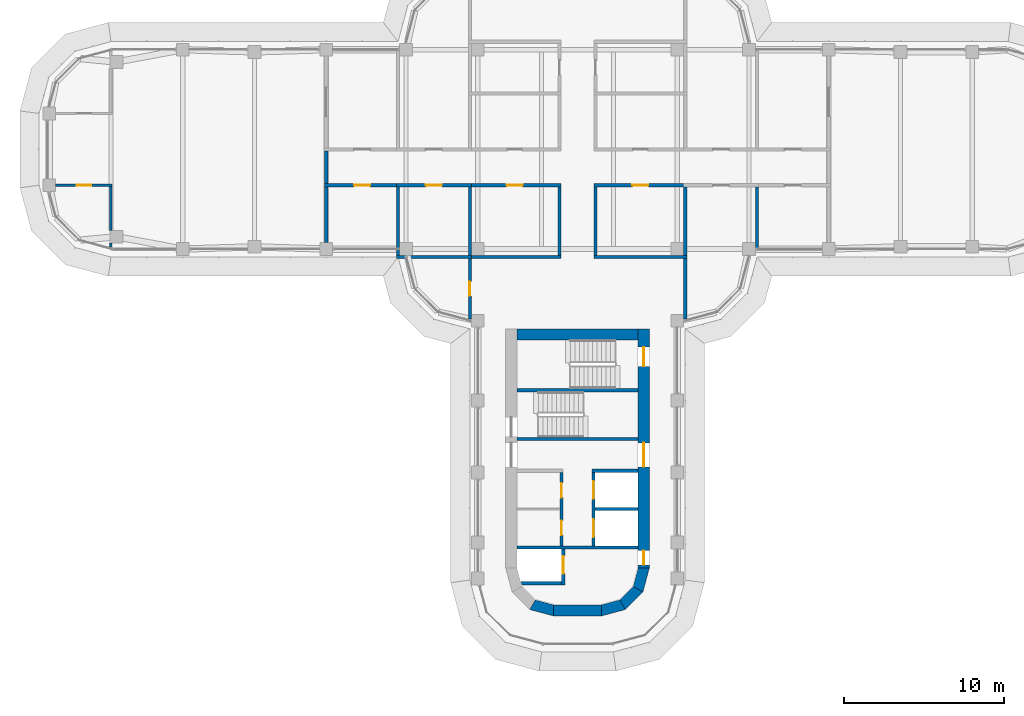
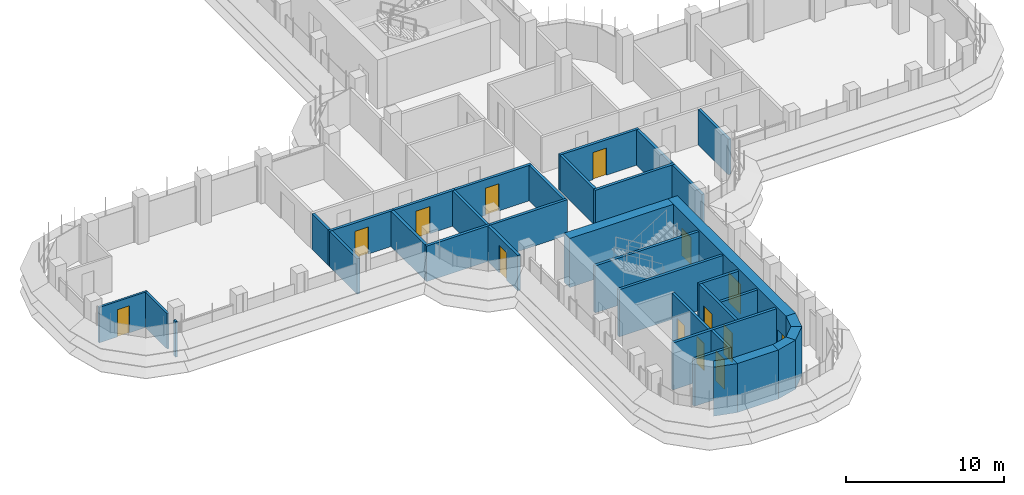
# One storey, part 13 of 20: 36 walls, 14 doors, 14 openings.
"""IFC4 building model written with IfcOpenShell, lengths in metres."""

from ifc_helpers import new_model, si_unit, direction, frame, frame_2d, origin, place, context, subcontext, project, spatial, polyline, rectangle, outline, extrude, material, layer, layer_set, type_object, element, fill, save


model = new_model("IFC4")

# Units and contexts
model_context = context("Model", 3, precision=1e-05, world=origin(), true_north=direction((0.0, 1.0)))
body_context = subcontext(model_context, "Body", "Model", "MODEL_VIEW")
ifc_project = project(units=[si_unit("LENGTHUNIT", "METRE"), si_unit("AREAUNIT", "SQUARE_METRE"), si_unit("VOLUMEUNIT", "CUBIC_METRE"), si_unit("PLANEANGLEUNIT", "RADIAN"), si_unit("MASSUNIT", "GRAM", prefix="KILO")], contexts=[model_context])

# Site, building, storey
site_placement = place(None, origin())
site = spatial("IfcSite", under=ifc_project, at=site_placement, CompositionType="ELEMENT")
building_placement = place(site_placement, origin())
building = spatial("IfcBuilding", under=site, at=building_placement, Name="Zarbagh Exchange Tower", CompositionType="ELEMENT")
storey_placement = place(building_placement, frame((0.0, 0.0, 163.800048828125)))
storey = spatial("IfcBuildingStorey", under=building, at=storey_placement, Name="L39", CompositionType="ELEMENT", Elevation=163.800048828125)

# Walls
ifc_material_1 = material(Name="Plasterboard partition")
ifc_layer_1 = layer(ifc_material_1, 0.14990234375)
ifc_layer_set_1 = layer_set([ifc_layer_1], Name="PARTITION 150")
wall_type_1 = type_object("IfcWallType", Name="PARTITION 150", PredefinedType="PARTITIONING", material=ifc_layer_set_1)
wall_1_placement = place(storey_placement, frame((-29.25, -6.1298828125, 0.0), z_axis=(0.0, 0.0, 1.0), x_axis=(0.0, 1.0, 0.0)))
element("IfcWall", 1, at=wall_1_placement, inside=storey, type_object=wall_type_1, Name="Partition W-1749", PredefinedType="PARTITIONING", context=body_context, shape_type="SweptSolid", body=[
    extrude(rectangle(XDim=0.2548828125, YDim=0.14990234375, at=frame_2d((0.12744140625, 0.0))), origin(), (0.0, 0.0, 1.0), 2.75),
])
wall_2_placement = place(storey_placement, frame((-29.25, -5.074951171875, 0.0), z_axis=(0.0, 0.0, 1.0), x_axis=(0.0, 1.0, 0.0)))
element("IfcWall", 2, at=wall_2_placement, inside=storey, type_object=wall_type_1, Name="Partition W-1750", PredefinedType="PARTITIONING", context=body_context, shape_type="SweptSolid", body=[
    extrude(rectangle(XDim=2.75, YDim=0.14990234375, at=frame_2d((1.375, 0.0))), origin(), (0.0, 0.0, 1.0), 2.75),
])

# Wall, opening, door
wall_3_placement = place(storey_placement, frame((-29.175048828125, -2.25, 0.0), z_axis=(0.0, 0.0, 1.0), x_axis=(-1.0, 0.0, 0.0)))
wall_3 = element("IfcWall", 3, at=wall_3_placement, inside=storey, type_object=wall_type_1, Name="Partition W-1751", PredefinedType="PARTITIONING", context=body_context, shape_type="SweptSolid", body=[
    extrude(rectangle(XDim=3.534912109375, YDim=0.14990234375, at=frame_2d((1.767578125, 0.0))), origin(), (0.0, 0.0, 1.0), 2.75),
])
opening_1_placement = place(wall_3_placement, frame((1.3173828125, 0.0, 0.0)))
opening_1 = element("IfcOpeningElement", 4, at=opening_1_placement, cuts=wall_3, Name="Opening D-1716", PredefinedType="OPENING", context=body_context, shape_type="SweptSolid", body=[
    extrude(rectangle(XDim=0.89990234375, YDim=2.10009765625, at=frame_2d((0.449951171875, 1.050048828125))), frame((0.0, 0.0849609375, 0.0), z_axis=(0.0, -1.0, 0.0), x_axis=(1.0, 0.0, 0.0)), (0.0, 0.0, 1.0), 0.169921875),
])
ifc_material_2 = material(Name="Timber door leaf", Category="wood")
door_type_1 = type_object("IfcDoorType", Name="DOOR 900 X 2100", OperationType="NOTDEFINED", PredefinedType="DOOR", material=ifc_material_2)
door_1_placement = place(opening_1_placement, origin())
door_1 = element("IfcDoor", 5, at=door_1_placement, inside=storey, type_object=door_type_1, Name="Door D-1716", OperationType="SINGLE_SWING_RIGHT", OverallHeight=2.10009765625, OverallWidth=0.89990234375, PredefinedType="DOOR", context=body_context, shape_type="SweptSolid", body=[
    extrude(rectangle(XDim=0.89990234375, YDim=2.10009765625, at=frame_2d((0.449951171875, 1.050048828125))), frame((0.0, 0.02490234375, 0.0), z_axis=(0.0, -1.0, 0.0), x_axis=(1.0, 0.0, 0.0)), (0.0, 0.0, 1.0), 0.050048828125),
])
fill(opening_1, door_1)

ifc_material_3 = material(Name="Fire-rated plasterboard partition")
ifc_layer_2 = layer(ifc_material_3, 0.199951171875)
ifc_layer_set_2 = layer_set([ifc_layer_2], Name="RATED PARTITION 200")
wall_type_2 = type_object("IfcWallType", Name="RATED PARTITION 200", PredefinedType="PARTITIONING", material=ifc_layer_set_2)
wall_4_placement = place(storey_placement, frame((6.85009765625, -2.25, 0.0), z_axis=(0.0, 0.0, 1.0), x_axis=(-1.0, 0.0, 0.0)))
wall_4 = element("IfcWall", 6, at=wall_4_placement, inside=storey, type_object=wall_type_2, Name="Partition W-1705", PredefinedType="PARTITIONING", context=body_context, shape_type="SweptSolid", body=[
    extrude(rectangle(XDim=5.8251953125, YDim=0.199951171875, at=frame_2d((2.91259765625, 0.0))), origin(), (0.0, 0.0, 1.0), 2.75),
])
opening_2_placement = place(wall_4_placement, frame((2.41259765625, 0.0, 0.0)))
opening_2 = element("IfcOpeningElement", 7, at=opening_2_placement, cuts=wall_4, Name="Opening D-1710", PredefinedType="OPENING", context=body_context, shape_type="SweptSolid", body=[
    extrude(rectangle(XDim=1.0, YDim=2.10009765625, at=frame_2d((0.5, 1.050048828125))), frame((0.0, 0.10986328125, 0.0), z_axis=(0.0, -1.0, 0.0), x_axis=(1.0, 0.0, 0.0)), (0.0, 0.0, 1.0), 0.219970703125),
])
ifc_material_4 = material(Name="Steel door set", Category="steel")
door_type_2 = type_object("IfcDoorType", Name="FIRE DOOR 1000 X 2100 FD30S", OperationType="NOTDEFINED", PredefinedType="DOOR", material=ifc_material_4)
door_2_placement = place(opening_2_placement, origin())
door_2 = element("IfcDoor", 8, at=door_2_placement, inside=storey, type_object=door_type_2, Name="Door D-1710", OperationType="SINGLE_SWING_RIGHT", OverallHeight=2.10009765625, OverallWidth=1.0, PredefinedType="DOOR", context=body_context, shape_type="SweptSolid", body=[
    extrude(rectangle(XDim=1.0, YDim=2.10009765625, at=frame_2d((0.5, 1.050048828125))), frame((0.0, 0.02490234375, 0.0), z_axis=(0.0, -1.0, 0.0), x_axis=(1.0, 0.0, 0.0)), (0.0, 0.0, 1.0), 0.050048828125),
])
fill(opening_2, door_2)

wall_5_placement = place(storey_placement, frame((-1.02490234375, -2.25, 0.0), z_axis=(0.0, 0.0, 1.0), x_axis=(-1.0, 0.0, 0.0)))
wall_5 = element("IfcWall", 9, at=wall_5_placement, inside=storey, type_object=wall_type_2, Name="Partition W-1707", PredefinedType="PARTITIONING", context=body_context, shape_type="SweptSolid", body=[
    extrude(rectangle(XDim=5.8251953125, YDim=0.199951171875, at=frame_2d((2.91259765625, 0.0))), origin(), (0.0, 0.0, 1.0), 2.75),
])
opening_3_placement = place(wall_5_placement, frame((2.41259765625, 0.0, 0.0)))
opening_3 = element("IfcOpeningElement", 10, at=opening_3_placement, cuts=wall_5, Name="Opening D-1712", PredefinedType="OPENING", context=body_context, shape_type="SweptSolid", body=[
    extrude(rectangle(XDim=1.0, YDim=2.10009765625, at=frame_2d((0.5, 1.050048828125))), frame((0.0, 0.10986328125, 0.0), z_axis=(0.0, -1.0, 0.0), x_axis=(1.0, 0.0, 0.0)), (0.0, 0.0, 1.0), 0.219970703125),
])
door_3_placement = place(opening_3_placement, origin())
door_3 = element("IfcDoor", 11, at=door_3_placement, inside=storey, type_object=door_type_2, Name="Door D-1712", OperationType="SINGLE_SWING_RIGHT", OverallHeight=2.10009765625, OverallWidth=1.0, PredefinedType="DOOR", context=body_context, shape_type="SweptSolid", body=[
    extrude(rectangle(XDim=1.0, YDim=2.10009765625, at=frame_2d((0.5, 1.050048828125))), frame((0.0, 0.02490234375, 0.0), z_axis=(0.0, -1.0, 0.0), x_axis=(1.0, 0.0, 0.0)), (0.0, 0.0, 1.0), 0.050048828125),
])
fill(opening_3, door_3)

wall_6_placement = place(storey_placement, frame((-6.64990234375, -2.25, 0.0), z_axis=(0.0, 0.0, 1.0), x_axis=(-1.0, 0.0, 0.0)))
wall_6 = element("IfcWall", 12, at=wall_6_placement, inside=storey, type_object=wall_type_2, Name="Partition W-1708", PredefinedType="PARTITIONING", context=body_context, shape_type="SweptSolid", body=[
    extrude(rectangle(XDim=4.7001953125, YDim=0.199951171875, at=frame_2d((2.35009765625, 0.0))), origin(), (0.0, 0.0, 1.0), 2.75),
])
opening_4_placement = place(wall_6_placement, frame((1.85009765625, 0.0, 0.0)))
opening_4 = element("IfcOpeningElement", 13, at=opening_4_placement, cuts=wall_6, Name="Opening D-1713", PredefinedType="OPENING", context=body_context, shape_type="SweptSolid", body=[
    extrude(rectangle(XDim=1.0, YDim=2.10009765625, at=frame_2d((0.5, 1.050048828125))), frame((0.0, 0.10986328125, 0.0), z_axis=(0.0, -1.0, 0.0), x_axis=(1.0, 0.0, 0.0)), (0.0, 0.0, 1.0), 0.219970703125),
])
door_4_placement = place(opening_4_placement, origin())
door_4 = element("IfcDoor", 14, at=door_4_placement, inside=storey, type_object=door_type_2, Name="Door D-1713", OperationType="SINGLE_SWING_RIGHT", OverallHeight=2.10009765625, OverallWidth=1.0, PredefinedType="DOOR", context=body_context, shape_type="SweptSolid", body=[
    extrude(rectangle(XDim=1.0, YDim=2.10009765625, at=frame_2d((0.5, 1.050048828125))), frame((0.0, 0.02490234375, 0.0), z_axis=(0.0, -1.0, 0.0), x_axis=(1.0, 0.0, 0.0)), (0.0, 0.0, 1.0), 0.050048828125),
])
fill(opening_4, door_4)

wall_7_placement = place(storey_placement, frame((-11.14990234375, -2.25, 0.0), z_axis=(0.0, 0.0, 1.0), x_axis=(-1.0, 0.0, 0.0)))
wall_7 = element("IfcWall", 15, at=wall_7_placement, inside=storey, type_object=wall_type_2, Name="Partition W-1713", PredefinedType="PARTITIONING", context=body_context, shape_type="SweptSolid", body=[
    extrude(rectangle(XDim=4.7001953125, YDim=0.199951171875, at=frame_2d((2.35009765625, 0.0))), origin(), (0.0, 0.0, 1.0), 2.75),
])
opening_5_placement = place(wall_7_placement, frame((1.85009765625, 0.0, 0.0)))
opening_5 = element("IfcOpeningElement", 16, at=opening_5_placement, cuts=wall_7, Name="Opening D-1719", PredefinedType="OPENING", context=body_context, shape_type="SweptSolid", body=[
    extrude(rectangle(XDim=1.0, YDim=2.10009765625, at=frame_2d((0.5, 1.050048828125))), frame((0.0, 0.10986328125, 0.0), z_axis=(0.0, -1.0, 0.0), x_axis=(1.0, 0.0, 0.0)), (0.0, 0.0, 1.0), 0.219970703125),
])
door_5_placement = place(opening_5_placement, origin())
door_5 = element("IfcDoor", 17, at=door_5_placement, inside=storey, type_object=door_type_2, Name="Door D-1719", OperationType="SINGLE_SWING_RIGHT", OverallHeight=2.10009765625, OverallWidth=1.0, PredefinedType="DOOR", context=body_context, shape_type="SweptSolid", body=[
    extrude(rectangle(XDim=1.0, YDim=2.10009765625, at=frame_2d((0.5, 1.050048828125))), frame((0.0, 0.02490234375, 0.0), z_axis=(0.0, -1.0, 0.0), x_axis=(1.0, 0.0, 0.0)), (0.0, 0.0, 1.0), 0.050048828125),
])
fill(opening_5, door_5)

# Walls
wall_8_placement = place(storey_placement, frame((-15.75, -2.14990234375, 0.0), z_axis=(0.0, 0.0, 1.0), x_axis=(0.0, 1.0, 0.0)))
element("IfcWall", 18, at=wall_8_placement, inside=storey, type_object=wall_type_2, Name="Partition W-1714", PredefinedType="PARTITIONING", context=body_context, shape_type="SweptSolid", body=[
    extrude(rectangle(XDim=2.0498046875, YDim=0.199951171875, at=frame_2d((1.02490234375, 0.0))), origin(), (0.0, 0.0, 1.0), 2.75),
])
for number, where, z_axis, x_axis, name in (
    (19, (1.125, -6.64990234375, 0.0), (0.0, 0.0, 1.0), (0.0, 1.0, 0.0), "Partition W-1719"),
    (20, (-1.125, -6.64990234375, 0.0), (0.0, 0.0, 1.0), (0.0, 1.0, 0.0), "Partition W-1720"),
):
    element("IfcWall", number, at=place(storey_placement, frame(where, z_axis=z_axis, x_axis=x_axis)), inside=storey, type_object=wall_type_2, Name=name, PredefinedType="PARTITIONING", context=body_context, shape_type="SweptSolid", body=[
        extrude(rectangle(XDim=4.2998046875, YDim=0.199951171875, at=frame_2d((2.14990234375, 0.0))), origin(), (0.0, 0.0, 1.0), 2.75),
    ])
wall_9_placement = place(storey_placement, frame((1.02490234375, -6.75, 0.0), z_axis=(0.0, 0.0, 1.0), x_axis=(1.0, 0.0, 0.0)))
element("IfcWall", 21, at=wall_9_placement, inside=storey, type_object=wall_type_2, Name="Partition W-1725", PredefinedType="PARTITIONING", context=body_context, shape_type="SweptSolid", body=[
    extrude(rectangle(XDim=5.8251953125, YDim=0.199951171875, at=frame_2d((2.91259765625, 0.0))), origin(), (0.0, 0.0, 1.0), 2.75),
])
wall_10_placement = place(storey_placement, frame((6.75, -10.6298828125, 0.0), z_axis=(0.0, 0.0, 1.0), x_axis=(0.0, 1.0, 0.0)))
element("IfcWall", 22, at=wall_10_placement, inside=storey, type_object=wall_type_2, Name="Partition W-1726", PredefinedType="PARTITIONING", context=body_context, shape_type="SweptSolid", body=[
    extrude(rectangle(XDim=3.77978515625, YDim=0.199951171875, at=frame_2d((1.889892578125, 0.0))), origin(), (0.0, 0.0, 1.0), 2.75),
])
wall_11_placement = place(storey_placement, frame((-6.85009765625, -6.75, 0.0), z_axis=(0.0, 0.0, 1.0), x_axis=(1.0, 0.0, 0.0)))
element("IfcWall", 23, at=wall_11_placement, inside=storey, type_object=wall_type_2, Name="Partition W-1727", PredefinedType="PARTITIONING", context=body_context, shape_type="SweptSolid", body=[
    extrude(rectangle(XDim=5.8251953125, YDim=0.199951171875, at=frame_2d((2.91259765625, 0.0))), origin(), (0.0, 0.0, 1.0), 2.75),
])

# Wall, opening, door
wall_12_placement = place(storey_placement, frame((-6.75, -10.6298828125, 0.0), z_axis=(0.0, 0.0, 1.0), x_axis=(0.0, 1.0, 0.0)))
wall_12 = element("IfcWall", 24, at=wall_12_placement, inside=storey, type_object=wall_type_2, Name="Partition W-1728", PredefinedType="PARTITIONING", context=body_context, shape_type="SweptSolid", body=[
    extrude(rectangle(XDim=3.77978515625, YDim=0.199951171875, at=frame_2d((1.889892578125, 0.0))), origin(), (0.0, 0.0, 1.0), 2.75),
])
opening_6_placement = place(wall_12_placement, frame((1.43994140625, 0.0, 0.0)))
opening_6 = element("IfcOpeningElement", 25, at=opening_6_placement, cuts=wall_12, Name="Opening D-1714", PredefinedType="OPENING", context=body_context, shape_type="SweptSolid", body=[
    extrude(rectangle(XDim=0.89990234375, YDim=2.10009765625, at=frame_2d((0.449951171875, 1.050048828125))), frame((0.0, 0.10986328125, 0.0), z_axis=(0.0, -1.0, 0.0), x_axis=(1.0, 0.0, 0.0)), (0.0, 0.0, 1.0), 0.219970703125),
])
door_6_placement = place(opening_6_placement, origin())
door_6 = element("IfcDoor", 26, at=door_6_placement, inside=storey, type_object=door_type_1, Name="Door D-1714", OperationType="SINGLE_SWING_RIGHT", OverallHeight=2.10009765625, OverallWidth=0.89990234375, PredefinedType="DOOR", context=body_context, shape_type="SweptSolid", body=[
    extrude(rectangle(XDim=0.89990234375, YDim=2.10009765625, at=frame_2d((0.449951171875, 1.050048828125))), frame((0.0, 0.02490234375, 0.0), z_axis=(0.0, -1.0, 0.0), x_axis=(1.0, 0.0, 0.0)), (0.0, 0.0, 1.0), 0.050048828125),
])
fill(opening_6, door_6)

# Walls
wall_13_placement = place(storey_placement, frame((6.75, -6.64990234375, 0.0), z_axis=(0.0, 0.0, 1.0), x_axis=(0.0, 1.0, 0.0)))
element("IfcWall", 27, at=wall_13_placement, inside=storey, type_object=wall_type_2, Name="Partition W-1737", PredefinedType="PARTITIONING", context=body_context, shape_type="SweptSolid", body=[
    extrude(rectangle(XDim=4.2998046875, YDim=0.199951171875, at=frame_2d((2.14990234375, 0.0))), origin(), (0.0, 0.0, 1.0), 2.75),
])
wall_14_placement = place(storey_placement, frame((11.25, -6.169921875, 0.0), z_axis=(0.0, 0.0, 1.0), x_axis=(0.0, 1.0, 0.0)))
element("IfcWall", 28, at=wall_14_placement, inside=storey, type_object=wall_type_2, Name="Partition W-1738", PredefinedType="PARTITIONING", context=body_context, shape_type="SweptSolid", body=[
    extrude(rectangle(XDim=3.81982421875, YDim=0.199951171875, at=frame_2d((1.909912109375, 0.0))), origin(), (0.0, 0.0, 1.0), 2.75),
])
wall_15_placement = place(storey_placement, frame((-6.75, -6.64990234375, 0.0), z_axis=(0.0, 0.0, 1.0), x_axis=(0.0, 1.0, 0.0)))
element("IfcWall", 29, at=wall_15_placement, inside=storey, type_object=wall_type_2, Name="Partition W-1739", PredefinedType="PARTITIONING", context=body_context, shape_type="SweptSolid", body=[
    extrude(rectangle(XDim=4.2998046875, YDim=0.199951171875, at=frame_2d((2.14990234375, 0.0))), origin(), (0.0, 0.0, 1.0), 2.75),
])
wall_16_placement = place(storey_placement, frame((-11.35009765625, -6.75, 0.0), z_axis=(0.0, 0.0, 1.0), x_axis=(1.0, 0.0, 0.0)))
element("IfcWall", 30, at=wall_16_placement, inside=storey, type_object=wall_type_2, Name="Partition W-1740", PredefinedType="PARTITIONING", context=body_context, shape_type="SweptSolid", body=[
    extrude(rectangle(XDim=4.7001953125, YDim=0.199951171875, at=frame_2d((2.35009765625, 0.0))), origin(), (0.0, 0.0, 1.0), 2.75),
])
wall_17_placement = place(storey_placement, frame((-11.25, -6.64990234375, 0.0), z_axis=(0.0, 0.0, 1.0), x_axis=(0.0, 1.0, 0.0)))
element("IfcWall", 31, at=wall_17_placement, inside=storey, type_object=wall_type_2, Name="Partition W-1741", PredefinedType="PARTITIONING", context=body_context, shape_type="SweptSolid", body=[
    extrude(rectangle(XDim=4.2998046875, YDim=0.199951171875, at=frame_2d((2.14990234375, 0.0))), origin(), (0.0, 0.0, 1.0), 2.75),
])
wall_18_placement = place(storey_placement, frame((-15.75, -5.85009765625, 0.0), z_axis=(0.0, 0.0, 1.0), x_axis=(0.0, 1.0, 0.0)))
element("IfcWall", 32, at=wall_18_placement, inside=storey, type_object=wall_type_2, Name="Partition W-1745", PredefinedType="PARTITIONING", context=body_context, shape_type="SweptSolid", body=[
    extrude(rectangle(XDim=3.5, YDim=0.199951171875, at=frame_2d((1.75, 0.0))), origin(), (0.0, 0.0, 1.0), 2.75),
])
ifc_material_5 = material(Name="Concrete C50/60", Category="concrete")
ifc_layer_3 = layer(ifc_material_5, 0.699951171875)
ifc_layer_set_3 = layer_set([ifc_layer_3], Name="RC core corner wall 700 C50/60")
wall_type_3 = type_object("IfcWallType", Name="RC core corner wall 700 C50/60", PredefinedType="SHEAR", material=ifc_layer_set_3)
wall_19_placement = place(storey_placement, origin())
element("IfcWall", 33, at=wall_19_placement, inside=storey, type_object=wall_type_3, Name="CW6 core S corner W", PredefinedType="SHEAR", context=body_context, shape_type="SweptSolid", body=[
    extrude(outline(polyline([(-3.0, -28.84814453125), (-1.5, -29.25), (-1.5, -28.550048828125), (-2.64990234375, -28.241943359375), (-3.0, -28.84814453125)])), origin(), (0.0, 0.0, 1.0), 3.800048828125),
])
wall_20_placement = place(storey_placement, origin())
element("IfcWall", 34, at=wall_20_placement, inside=storey, type_object=wall_type_3, Name="CW6 core S corner E", PredefinedType="SHEAR", context=body_context, shape_type="SweptSolid", body=[
    extrude(outline(polyline([(4.5, -26.25), (4.09814453125, -27.75), (3.491943359375, -27.39990234375), (3.800048828125, -26.25), (4.5, -26.25)])), origin(), (0.0, 0.0, 1.0), 3.800048828125),
])
wall_21_placement = place(storey_placement, origin())
element("IfcWall", 35, at=wall_21_placement, inside=storey, type_object=wall_type_3, Name="CW6 core S corner E", PredefinedType="SHEAR", context=body_context, shape_type="SweptSolid", body=[
    extrude(outline(polyline([(4.09814453125, -27.75), (3.0, -28.84814453125), (2.64990234375, -28.241943359375), (3.491943359375, -27.39990234375), (4.09814453125, -27.75)])), origin(), (0.0, 0.0, 1.0), 3.800048828125),
])
wall_22_placement = place(storey_placement, origin())
element("IfcWall", 36, at=wall_22_placement, inside=storey, type_object=wall_type_3, Name="CW6 core S corner E", PredefinedType="SHEAR", context=body_context, shape_type="SweptSolid", body=[
    extrude(outline(polyline([(3.0, -28.84814453125), (1.5, -29.25), (1.5, -28.550048828125), (2.64990234375, -28.241943359375), (3.0, -28.84814453125)])), origin(), (0.0, 0.0, 1.0), 3.800048828125),
])

# Wall, openings, doors
ifc_layer_4 = layer(ifc_material_5, 0.699951171875)
ifc_layer_set_4 = layer_set([ifc_layer_4], Name="RC core wall 700 C50/60")
wall_type_4 = type_object("IfcWallType", Name="RC core wall 700 C50/60", PredefinedType="SHEAR", material=ifc_layer_set_4)
wall_23_placement = place(storey_placement, frame((4.14990234375, -11.25, 0.0), z_axis=(0.0, 0.0, 1.0), x_axis=(0.0, -1.0, 0.0)))
wall_23 = element("IfcWall", 37, at=wall_23_placement, inside=storey, type_object=wall_type_4, Name="CW5 core S E", PredefinedType="SHEAR", context=body_context, shape_type="SweptSolid", body=[
    extrude(rectangle(XDim=15.0, YDim=0.699951171875, at=frame_2d((7.5, 0.0))), origin(), (0.0, 0.0, 1.0), 3.800048828125),
])
opening_7_placement = place(wall_23_placement, frame((7.14990234375, 0.0, 0.0)))
opening_7 = element("IfcOpeningElement", 38, at=opening_7_placement, cuts=wall_23, Name="Opening CD1-1500", PredefinedType="OPENING", context=body_context, shape_type="SweptSolid", body=[
    extrude(rectangle(XDim=1.5, YDim=2.300048828125, at=frame_2d((0.75, 1.14990234375))), frame((0.0, 0.35986328125, 0.0), z_axis=(0.0, -1.0, 0.0), x_axis=(1.0, 0.0, 0.0)), (0.0, 0.0, 1.0), 0.719970703125),
])
opening_8_placement = place(wall_23_placement, frame((13.89990234375, 0.0, 0.0)))
opening_8 = element("IfcOpeningElement", 39, at=opening_8_placement, cuts=wall_23, Name="Opening CD2-900", PredefinedType="OPENING", context=body_context, shape_type="SweptSolid", body=[
    extrude(rectangle(XDim=0.89990234375, YDim=2.10009765625, at=frame_2d((0.449951171875, 1.050048828125))), frame((0.0, 0.35986328125, 0.0), z_axis=(0.0, -1.0, 0.0), x_axis=(1.0, 0.0, 0.0)), (0.0, 0.0, 1.0), 0.719970703125),
])
opening_9_placement = place(wall_23_placement, frame((1.14990234375, 0.0, 0.0)))
opening_9 = element("IfcOpeningElement", 40, at=opening_9_placement, cuts=wall_23, Name="Opening SD1-1200", PredefinedType="OPENING", context=body_context, shape_type="SweptSolid", body=[
    extrude(rectangle(XDim=1.199951171875, YDim=2.10009765625, at=frame_2d((0.60009765625, 1.050048828125))), frame((0.0, 0.35986328125, 0.0), z_axis=(0.0, -1.0, 0.0), x_axis=(1.0, 0.0, 0.0)), (0.0, 0.0, 1.0), 0.719970703125),
])
ifc_material_6 = material(Name="Steel", Category="steel")
door_type_3 = type_object("IfcDoorType", Name="Exit stair door 1200 x 2100", OperationType="NOTDEFINED", PredefinedType="DOOR", material=ifc_material_6)
door_7_placement = place(opening_9_placement, origin())
door_7 = element("IfcDoor", 41, at=door_7_placement, inside=storey, type_object=door_type_3, Name="South core stair door ST2", OperationType="SINGLE_SWING_LEFT", OverallHeight=2.10009765625, OverallWidth=1.199951171875, PredefinedType="DOOR", context=body_context, shape_type="SweptSolid", body=[
    extrude(rectangle(XDim=1.199951171875, YDim=2.10009765625, at=frame_2d((0.60009765625, 1.050048828125))), frame((0.0, 0.02490234375, 0.0), z_axis=(0.0, -1.0, 0.0), x_axis=(1.0, 0.0, 0.0)), (0.0, 0.0, 1.0), 0.050048828125),
])
fill(opening_9, door_7)
door_type_4 = type_object("IfcDoorType", Name="Firefighting lobby door 900 x 2100", OperationType="NOTDEFINED", PredefinedType="DOOR", material=ifc_material_6)
door_8_placement = place(opening_8_placement, origin())
door_8 = element("IfcDoor", 42, at=door_8_placement, inside=storey, type_object=door_type_4, Name="South core firefighting lobby door FF-W", OperationType="SINGLE_SWING_RIGHT", OverallHeight=2.10009765625, OverallWidth=0.89990234375, PredefinedType="DOOR", context=body_context, shape_type="SweptSolid", body=[
    extrude(rectangle(XDim=0.89990234375, YDim=2.10009765625, at=frame_2d((0.449951171875, 1.050048828125))), frame((0.0, 0.02490234375, 0.0), z_axis=(0.0, -1.0, 0.0), x_axis=(1.0, 0.0, 0.0)), (0.0, 0.0, 1.0), 0.050048828125),
])
fill(opening_8, door_8)
door_type_5 = type_object("IfcDoorType", Name="Lift lobby double door 1500 x 2300", OperationType="NOTDEFINED", PredefinedType="DOOR", material=ifc_material_6)
door_9_placement = place(opening_7_placement, origin())
door_9 = element("IfcDoor", 43, at=door_9_placement, inside=storey, type_object=door_type_5, Name="South core lift lobby door LOBBY-W", OperationType="DOUBLE_DOOR_SINGLE_SWING", OverallHeight=2.300048828125, OverallWidth=1.5, PredefinedType="DOOR", context=body_context, shape_type="SweptSolid", body=[
    extrude(rectangle(XDim=1.5, YDim=2.300048828125, at=frame_2d((0.75, 1.14990234375))), frame((0.0, 0.02490234375, 0.0), z_axis=(0.0, -1.0, 0.0), x_axis=(1.0, 0.0, 0.0)), (0.0, 0.0, 1.0), 0.050048828125),
])
fill(opening_7, door_9)

# Walls
wall_24_placement = place(storey_placement, frame((-3.800048828125, -11.60009765625, 0.0), z_axis=(0.0, 0.0, 1.0), x_axis=(1.0, 0.0, 0.0)))
element("IfcWall", 44, at=wall_24_placement, inside=storey, type_object=wall_type_4, Name="CW5 core S inner end", PredefinedType="SHEAR", context=body_context, shape_type="SweptSolid", body=[
    extrude(rectangle(XDim=7.60009765625, YDim=0.699951171875, at=frame_2d((3.800048828125, 0.0))), origin(), (0.0, 0.0, 1.0), 3.800048828125),
])
wall_25_placement = place(storey_placement, frame((-1.5, -28.89990234375, 0.0), z_axis=(0.0, 0.0, 1.0), x_axis=(1.0, 0.0, 0.0)))
element("IfcWall", 45, at=wall_25_placement, inside=storey, type_object=wall_type_4, Name="CW5 core S outer end", PredefinedType="SHEAR", context=body_context, shape_type="SweptSolid", body=[
    extrude(rectangle(XDim=3.0, YDim=0.699951171875, at=frame_2d((1.5, 0.0))), origin(), (0.0, 0.0, 1.0), 3.800048828125),
])
ifc_material_7 = material(Name="Dense blockwork", Category="masonry")
ifc_layer_5 = layer(ifc_material_7, 0.199951171875)
ifc_layer_set_5 = layer_set([ifc_layer_5], Name="Shaft wall 200 mm blockwork")
wall_type_5 = type_object("IfcWallType", Name="Shaft wall 200 mm blockwork", PredefinedType="PARTITIONING", material=ifc_layer_set_5)
wall_26_placement = place(storey_placement, frame((3.800048828125, -20.14990234375, 0.0), z_axis=(0.0, 0.0, 1.0), x_axis=(-1.0, 0.0, 0.0)))
element("IfcWall", 46, at=wall_26_placement, inside=storey, type_object=wall_type_5, Name="South core shaft wall AB-W", PredefinedType="PARTITIONING", context=body_context, shape_type="SweptSolid", body=[
    extrude(rectangle(XDim=2.900146484375, YDim=0.199951171875, at=frame_2d((1.4501953125, 0.0))), origin(), (0.0, 0.0, 1.0), 3.64990234375),
])

# Wall, openings, doors
wall_27_placement = place(storey_placement, frame((1.0, -24.85009765625, 0.0), z_axis=(0.0, 0.0, 1.0), x_axis=(0.0, 1.0, 0.0)))
wall_27 = element("IfcWall", 47, at=wall_27_placement, inside=storey, type_object=wall_type_5, Name="South core shaft wall LW-W", PredefinedType="PARTITIONING", context=body_context, shape_type="SweptSolid", body=[
    extrude(rectangle(XDim=4.60009765625, YDim=0.199951171875, at=frame_2d((2.300048828125, 0.0))), origin(), (0.0, 0.0, 1.0), 3.64990234375),
])
opening_10_placement = place(wall_27_placement, frame((0.550048828125, 0.0, 0.0)))
opening_10 = element("IfcOpeningElement", 48, at=opening_10_placement, cuts=wall_27, Name="Opening LD-1100", PredefinedType="OPENING", context=body_context, shape_type="SweptSolid", body=[
    extrude(rectangle(XDim=1.10009765625, YDim=2.300048828125, at=frame_2d((0.550048828125, 1.14990234375))), frame((0.0, 0.10986328125, 0.0), z_axis=(0.0, -1.0, 0.0), x_axis=(1.0, 0.0, 0.0)), (0.0, 0.0, 1.0), 0.219970703125),
])
opening_11_placement = place(wall_27_placement, frame((2.949951171875, 0.0, 0.0)))
opening_11 = element("IfcOpeningElement", 49, at=opening_11_placement, cuts=wall_27, Name="Opening LD-1100", PredefinedType="OPENING", context=body_context, shape_type="SweptSolid", body=[
    extrude(rectangle(XDim=1.10009765625, YDim=2.300048828125, at=frame_2d((0.550048828125, 1.14990234375))), frame((0.0, 0.10986328125, 0.0), z_axis=(0.0, -1.0, 0.0), x_axis=(1.0, 0.0, 0.0)), (0.0, 0.0, 1.0), 0.219970703125),
])
ifc_material_8 = material(Name="Stainless steel", Category="steel")
door_type_6 = type_object("IfcDoorType", Name="Lift landing door 1100 x 2300", OperationType="NOTDEFINED", PredefinedType="DOOR", material=ifc_material_8)
door_10_placement = place(opening_10_placement, origin())
door_10 = element("IfcDoor", 50, at=door_10_placement, inside=storey, type_object=door_type_6, Name="South core lift landing door LD-P-S1", OperationType="DOUBLE_DOOR_SLIDING", OverallHeight=2.300048828125, OverallWidth=1.10009765625, PredefinedType="DOOR", context=body_context, shape_type="SweptSolid", body=[
    extrude(rectangle(XDim=1.10009765625, YDim=2.300048828125, at=frame_2d((0.550048828125, 1.14990234375))), frame((0.0, 0.02490234375, 0.0), z_axis=(0.0, -1.0, 0.0), x_axis=(1.0, 0.0, 0.0)), (0.0, 0.0, 1.0), 0.050048828125),
])
fill(opening_10, door_10)
door_11_placement = place(opening_11_placement, origin())
door_11 = element("IfcDoor", 51, at=door_11_placement, inside=storey, type_object=door_type_6, Name="South core lift landing door LD-P-S2", OperationType="DOUBLE_DOOR_SLIDING", OverallHeight=2.300048828125, OverallWidth=1.10009765625, PredefinedType="DOOR", context=body_context, shape_type="SweptSolid", body=[
    extrude(rectangle(XDim=1.10009765625, YDim=2.300048828125, at=frame_2d((0.550048828125, 1.14990234375))), frame((0.0, 0.02490234375, 0.0), z_axis=(0.0, -1.0, 0.0), x_axis=(1.0, 0.0, 0.0)), (0.0, 0.0, 1.0), 0.050048828125),
])
fill(opening_11, door_11)

wall_28_placement = place(storey_placement, frame((-1.0, -24.85009765625, 0.0), z_axis=(0.0, 0.0, 1.0), x_axis=(0.0, 1.0, 0.0)))
wall_28 = element("IfcWall", 52, at=wall_28_placement, inside=storey, type_object=wall_type_5, Name="South core shaft wall LW-E", PredefinedType="PARTITIONING", context=body_context, shape_type="SweptSolid", body=[
    extrude(rectangle(XDim=4.60009765625, YDim=0.199951171875, at=frame_2d((2.300048828125, 0.0))), origin(), (0.0, 0.0, 1.0), 3.64990234375),
])
opening_12_placement = place(wall_28_placement, frame((0.675048828125, 0.0, 0.0)))
opening_12 = element("IfcOpeningElement", 53, at=opening_12_placement, cuts=wall_28, Name="Opening CD3-900", PredefinedType="OPENING", context=body_context, shape_type="SweptSolid", body=[
    extrude(rectangle(XDim=0.89990234375, YDim=2.10009765625, at=frame_2d((0.449951171875, 1.050048828125))), frame((0.0, 0.10986328125, 0.0), z_axis=(0.0, -1.0, 0.0), x_axis=(1.0, 0.0, 0.0)), (0.0, 0.0, 1.0), 0.219970703125),
])
opening_13_placement = place(wall_28_placement, frame((3.02490234375, 0.0, 0.0)))
opening_13 = element("IfcOpeningElement", 54, at=opening_13_placement, cuts=wall_28, Name="Opening CD3-900", PredefinedType="OPENING", context=body_context, shape_type="SweptSolid", body=[
    extrude(rectangle(XDim=0.89990234375, YDim=2.10009765625, at=frame_2d((0.449951171875, 1.050048828125))), frame((0.0, 0.10986328125, 0.0), z_axis=(0.0, -1.0, 0.0), x_axis=(1.0, 0.0, 0.0)), (0.0, 0.0, 1.0), 0.219970703125),
])
door_type_7 = type_object("IfcDoorType", Name="Core room door 900 x 2100", OperationType="NOTDEFINED", PredefinedType="DOOR", material=ifc_material_6)
door_12_placement = place(opening_12_placement, origin())
door_12 = element("IfcDoor", 55, at=door_12_placement, inside=storey, type_object=door_type_7, Name="South core Staff WC door RD-E-0", OperationType="SINGLE_SWING_RIGHT", OverallHeight=2.10009765625, OverallWidth=0.89990234375, PredefinedType="DOOR", context=body_context, shape_type="SweptSolid", body=[
    extrude(rectangle(XDim=0.89990234375, YDim=2.10009765625, at=frame_2d((0.449951171875, 1.050048828125))), frame((0.0, 0.02490234375, 0.0), z_axis=(0.0, -1.0, 0.0), x_axis=(1.0, 0.0, 0.0)), (0.0, 0.0, 1.0), 0.050048828125),
])
fill(opening_12, door_12)
door_13_placement = place(opening_13_placement, origin())
door_13 = element("IfcDoor", 56, at=door_13_placement, inside=storey, type_object=door_type_7, Name="South core Accessible WC door RD-E-1", OperationType="SINGLE_SWING_RIGHT", OverallHeight=2.10009765625, OverallWidth=0.89990234375, PredefinedType="DOOR", context=body_context, shape_type="SweptSolid", body=[
    extrude(rectangle(XDim=0.89990234375, YDim=2.10009765625, at=frame_2d((0.449951171875, 1.050048828125))), frame((0.0, 0.02490234375, 0.0), z_axis=(0.0, -1.0, 0.0), x_axis=(1.0, 0.0, 0.0)), (0.0, 0.0, 1.0), 0.050048828125),
])
fill(opening_13, door_13)

# Walls
wall_29_placement = place(storey_placement, frame((3.800048828125, -22.550048828125, 0.0), z_axis=(0.0, 0.0, 1.0), x_axis=(-1.0, 0.0, 0.0)))
element("IfcWall", 57, at=wall_29_placement, inside=storey, type_object=wall_type_5, Name="South core shaft wall TR-W", PredefinedType="PARTITIONING", context=body_context, shape_type="SweptSolid", body=[
    extrude(rectangle(XDim=2.699951171875, YDim=0.199951171875, at=frame_2d((1.35009765625, 0.0))), origin(), (0.0, 0.0, 1.0), 3.64990234375),
])
ifc_material_9 = material(Name="Concrete C40/50", Category="concrete")
ifc_layer_6 = layer(ifc_material_9, 0.199951171875)
ifc_layer_set_6 = layer_set([ifc_layer_6], Name="Stair enclosure wall 200 mm RC C40/50")
wall_type_6 = type_object("IfcWallType", Name="Stair enclosure wall 200 mm RC C40/50", PredefinedType="SHEAR", material=ifc_layer_set_6)
wall_30_placement = place(storey_placement, frame((3.800048828125, -24.949951171875, 0.0), z_axis=(0.0, 0.0, 1.0), x_axis=(-1.0, 0.0, 0.0)))
element("IfcWall", 58, at=wall_30_placement, inside=storey, type_object=wall_type_6, Name="South core lift shaft wall FFA", PredefinedType="SHEAR", context=body_context, shape_type="SweptSolid", body=[
    extrude(rectangle(XDim=7.60009765625, YDim=0.199951171875, at=frame_2d((3.800048828125, 0.0))), origin(), (0.0, 0.0, 1.0), 3.64990234375),
])

# Wall, opening, door
wall_31_placement = place(storey_placement, frame((-0.89990234375, -27.300048828125, 0.0), z_axis=(0.0, 0.0, 1.0), x_axis=(0.0, 1.0, 0.0)))
wall_31 = element("IfcWall", 59, at=wall_31_placement, inside=storey, type_object=wall_type_6, Name="South core lift shaft wall FFL", PredefinedType="SHEAR", context=body_context, shape_type="SweptSolid", body=[
    extrude(rectangle(XDim=2.25, YDim=0.199951171875, at=frame_2d((1.125, 0.0))), origin(), (0.0, 0.0, 1.0), 3.64990234375),
])
opening_14_placement = place(wall_31_placement, frame((0.699951171875, 0.0, 0.0)))
opening_14 = element("IfcOpeningElement", 60, at=opening_14_placement, cuts=wall_31, Name="Opening LD-1100", PredefinedType="OPENING", context=body_context, shape_type="SweptSolid", body=[
    extrude(rectangle(XDim=1.10009765625, YDim=2.300048828125, at=frame_2d((0.550048828125, 1.14990234375))), frame((0.0, 0.10986328125, 0.0), z_axis=(0.0, -1.0, 0.0), x_axis=(1.0, 0.0, 0.0)), (0.0, 0.0, 1.0), 0.219970703125),
])
door_14_placement = place(opening_14_placement, origin())
door_14 = element("IfcDoor", 61, at=door_14_placement, inside=storey, type_object=door_type_6, Name="South core lift landing door LD-F", OperationType="DOUBLE_DOOR_SLIDING", OverallHeight=2.300048828125, OverallWidth=1.10009765625, PredefinedType="DOOR", context=body_context, shape_type="SweptSolid", body=[
    extrude(rectangle(XDim=1.10009765625, YDim=2.300048828125, at=frame_2d((0.550048828125, 1.14990234375))), frame((0.0, 0.02490234375, 0.0), z_axis=(0.0, -1.0, 0.0), x_axis=(1.0, 0.0, 0.0)), (0.0, 0.0, 1.0), 0.050048828125),
])
fill(opening_14, door_14)

# Walls
wall_32_placement = place(storey_placement, origin())
element("IfcWall", 62, at=wall_32_placement, inside=storey, type_object=wall_type_6, Name="South core lift shaft wall FFX", PredefinedType="SHEAR", context=body_context, shape_type="SweptSolid", body=[
    extrude(outline(polyline([(-1.0, -27.10009765625), (-3.547607421875, -27.10009765625), (-3.493896484375, -27.300048828125), (-1.0, -27.300048828125), (-1.0, -27.10009765625)])), origin(), (0.0, 0.0, 1.0), 3.64990234375),
])
for number, where, z_axis, x_axis, name in (
    (63, (3.800048828125, -18.14990234375, 0.0), (0.0, 0.0, 1.0), (-1.0, 0.0, 0.0), "South core stair wall BS"),
    (64, (3.800048828125, -15.10009765625, 0.0), (0.0, 0.0, 1.0), (-1.0, 0.0, 0.0), "South core stair wall ST12"),
):
    element("IfcWall", number, at=place(storey_placement, frame(where, z_axis=z_axis, x_axis=x_axis)), inside=storey, type_object=wall_type_6, Name=name, PredefinedType="SHEAR", context=body_context, shape_type="SweptSolid", body=[
        extrude(rectangle(XDim=7.60009765625, YDim=0.199951171875, at=frame_2d((3.800048828125, 0.0))), origin(), (0.0, 0.0, 1.0), 3.64990234375),
    ])

save(model, "model.ifc")
